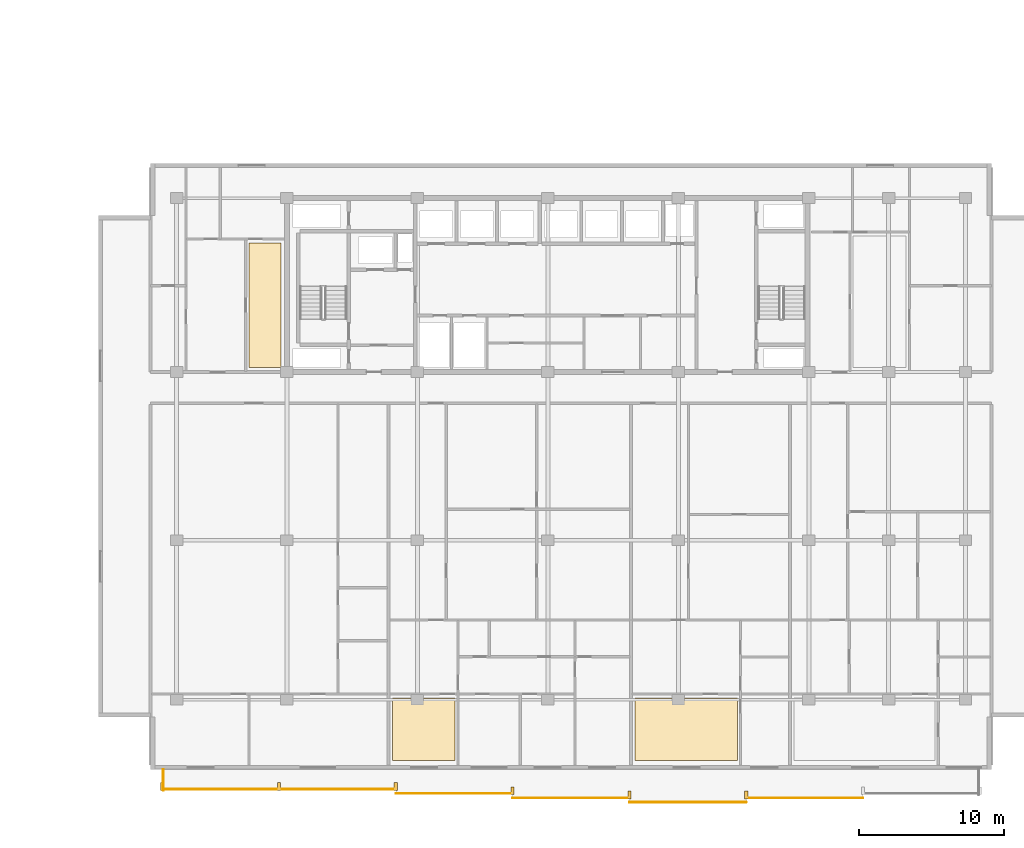
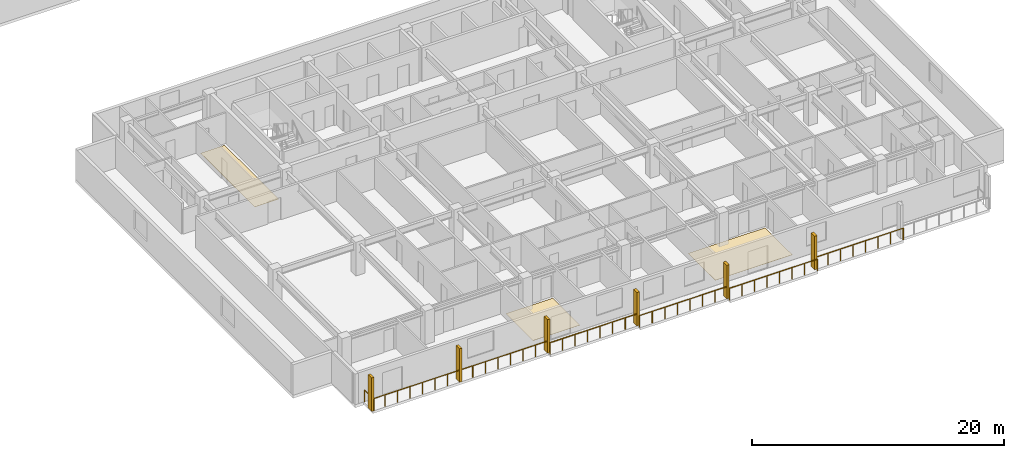
# One storey, part 18 of 22: 6 railings, 6 shading devices, 3 coverings.
"""IFC4 building model written with IfcOpenShell, lengths in metres."""

from ifc_helpers import new_model, si_unit, direction, frame, origin, origin_2d, place, context, subcontext, project, spatial, polyline, rectangle, circle, outline, extrude, material, layer, layer_set, type_object, element, save


model = new_model("IFC4")

# Units and contexts
model_context = context("Model", 3, precision=1e-05, world=origin(), true_north=direction((0.0, 1.0)))
body_context = subcontext(model_context, "Body", "Model", "MODEL_VIEW")
ifc_project = project(units=[si_unit("LENGTHUNIT", "METRE"), si_unit("AREAUNIT", "SQUARE_METRE"), si_unit("VOLUMEUNIT", "CUBIC_METRE"), si_unit("PLANEANGLEUNIT", "RADIAN"), si_unit("MASSUNIT", "GRAM", prefix="KILO")], contexts=[model_context])

# Site, building, storey
site_placement = place(None, origin())
site = spatial("IfcSite", under=ifc_project, at=site_placement, CompositionType="ELEMENT")
building_placement = place(site_placement, origin())
building = spatial("IfcBuilding", under=site, at=building_placement, Name="Korimba Cascade Residences", CompositionType="ELEMENT")
storey_placement = place(building_placement, frame((0.0, 0.0, 90.550048828125)))
storey = spatial("IfcBuildingStorey", under=building, at=storey_placement, Name="L25", CompositionType="ELEMENT", Elevation=90.550048828125)

# Coverings
ifc_material_1 = material(Name="Engineered Spotted-Gum Timber Flooring", Category="wood")
ifc_layer = layer(ifc_material_1, 0.02001953125)
ifc_layer_set = layer_set([ifc_layer], Name="Engineered Spotted-Gum Timber Flooring")
covering_type = type_object("IfcCoveringType", Name="COV-FLR-TIM", PredefinedType="FLOORING", material=ifc_layer_set)
covering_1_placement = place(storey_placement, origin())
element("IfcCovering", 1, at=covering_1_placement, inside=storey, type_object=covering_type, Name="L25 Spotted-Gum Timber Flooring L25-T2-FW-L", PredefinedType="FLOORING", context=body_context, shape_type="SweptSolid", body=[
    extrude(outline(polyline([(79.5, 18.699951171875), (81.699951171875, 18.699951171875), (81.699951171875, 27.300048828125), (79.5, 27.300048828125), (79.5, 18.699951171875)])), origin(), (0.0, 0.0, 1.0), 0.02001953125),
])
covering_2_placement = place(storey_placement, origin())
element("IfcCovering", 2, at=covering_2_placement, inside=storey, type_object=covering_type, Name="L25 Spotted-Gum Timber Flooring L25-T2-U02-L", PredefinedType="FLOORING", context=body_context, shape_type="SweptSolid", body=[
    extrude(outline(polyline([(89.388671875, -8.3798828125), (93.6787109375, -8.3798828125), (93.6787109375, -4.070068359375), (89.388671875, -4.070068359375), (89.388671875, -8.3798828125)])), origin(), (0.0, 0.0, 1.0), 0.02001953125),
])
covering_3_placement = place(storey_placement, origin())
element("IfcCovering", 3, at=covering_3_placement, inside=storey, type_object=covering_type, Name="L25 Spotted-Gum Timber Flooring L25-T2-U03-L", PredefinedType="FLOORING", context=body_context, shape_type="SweptSolid", body=[
    extrude(outline(polyline([(106.101318359375, -8.3798828125), (113.162353515625, -8.3798828125), (113.162353515625, -4.070068359375), (106.101318359375, -4.070068359375), (106.101318359375, -8.3798828125)])), origin(), (0.0, 0.0, 1.0), 0.02001953125),
])

# Railings
ifc_material_2 = material(Name="Laminated Glass and Bronze Balustrade", Category="glass")
railing_type = type_object("IfcRailingType", Name="RLG-LOG-1150", PredefinedType="BALUSTRADE", material=ifc_material_2)
railing_1_placement = place(storey_placement, frame((73.5, -10.3701171875, 0.0)))
element("IfcRailing", 4, at=railing_1_placement, inside=storey, type_object=railing_type, Name="L25 Perimeter Guardrail RLG-L25-T2-LOG-01", PredefinedType="BALUSTRADE", context=body_context, shape_type="SweptSolid", body=[
    extrude(circle(Radius=0.02392578125, at=origin_2d()), frame((0.0, 0.0, 1.1259765625), z_axis=(1.0, 0.0, 0.0), x_axis=(0.0, 1.0, 0.0)), (0.0, 0.0, 1.0), 16.1142578125),
    extrude(circle(Radius=0.02099609375, at=origin_2d()), origin(), (0.0, 0.0, 1.0), 1.101806640625),
    extrude(circle(Radius=0.02099609375, at=origin_2d()), frame((1.151123046875, 0.0, 0.0)), (0.0, 0.0, 1.0), 1.101806640625),
    extrude(circle(Radius=0.02099609375, at=origin_2d()), frame((2.302001953125, 0.0, 0.0)), (0.0, 0.0, 1.0), 1.101806640625),
    extrude(circle(Radius=0.02099609375, at=origin_2d()), frame((3.453125, 0.0, 0.0)), (0.0, 0.0, 1.0), 1.101806640625),
    extrude(circle(Radius=0.02099609375, at=origin_2d()), frame((4.60400390625, 0.0, 0.0)), (0.0, 0.0, 1.0), 1.101806640625),
    extrude(circle(Radius=0.02099609375, at=origin_2d()), frame((5.755126953125, 0.0, 0.0)), (0.0, 0.0, 1.0), 1.101806640625),
    extrude(circle(Radius=0.02099609375, at=origin_2d()), frame((6.906005859375, 0.0, 0.0)), (0.0, 0.0, 1.0), 1.101806640625),
    extrude(circle(Radius=0.02099609375, at=origin_2d()), frame((8.05712890625, 0.0, 0.0)), (0.0, 0.0, 1.0), 1.101806640625),
    extrude(circle(Radius=0.02099609375, at=origin_2d()), frame((9.208251953125, 0.0, 0.0)), (0.0, 0.0, 1.0), 1.101806640625),
    extrude(circle(Radius=0.02099609375, at=origin_2d()), frame((10.359130859375, 0.0, 0.0)), (0.0, 0.0, 1.0), 1.101806640625),
    extrude(circle(Radius=0.02099609375, at=origin_2d()), frame((11.51025390625, 0.0, 0.0)), (0.0, 0.0, 1.0), 1.101806640625),
    extrude(circle(Radius=0.02099609375, at=origin_2d()), frame((12.6611328125, 0.0, 0.0)), (0.0, 0.0, 1.0), 1.101806640625),
    extrude(circle(Radius=0.02099609375, at=origin_2d()), frame((13.812255859375, 0.0, 0.0)), (0.0, 0.0, 1.0), 1.101806640625),
    extrude(circle(Radius=0.02099609375, at=origin_2d()), frame((14.963134765625, 0.0, 0.0)), (0.0, 0.0, 1.0), 1.101806640625),
    extrude(circle(Radius=0.02099609375, at=origin_2d()), frame((16.1142578125, 0.0, 0.0)), (0.0, 0.0, 1.0), 1.101806640625),
])
for number, where, name in (
    (5, (89.6142578125, -10.669921875, 0.0), "L25 Perimeter Guardrail RLG-L25-T2-LOG-02"),
    (6, (97.67138671875, -10.969970703125, 0.0), "L25 Perimeter Guardrail RLG-L25-T2-LOG-03"),
    (7, (105.728515625, -11.27001953125, 0.0), "L25 Perimeter Guardrail RLG-L25-T2-LOG-04"),
):
    element("IfcRailing", number, at=place(storey_placement, frame(where)), inside=storey, type_object=railing_type, Name=name, PredefinedType="BALUSTRADE", context=body_context, shape_type="SweptSolid", body=[
        extrude(circle(Radius=0.02392578125, at=origin_2d()), frame((0.0, 0.0, 1.1259765625), z_axis=(1.0, 0.0, 0.0), x_axis=(0.0, 1.0, 0.0)), (0.0, 0.0, 1.0), 8.05712890625),
        extrude(circle(Radius=0.02099609375, at=origin_2d()), origin(), (0.0, 0.0, 1.0), 1.101806640625),
        extrude(circle(Radius=0.02099609375, at=origin_2d()), frame((1.151123046875, 0.0, 0.0)), (0.0, 0.0, 1.0), 1.101806640625),
        extrude(circle(Radius=0.02099609375, at=origin_2d()), frame((2.302001953125, 0.0, 0.0)), (0.0, 0.0, 1.0), 1.101806640625),
        extrude(circle(Radius=0.02099609375, at=origin_2d()), frame((3.453125, 0.0, 0.0)), (0.0, 0.0, 1.0), 1.101806640625),
        extrude(circle(Radius=0.02099609375, at=origin_2d()), frame((4.60400390625, 0.0, 0.0)), (0.0, 0.0, 1.0), 1.101806640625),
        extrude(circle(Radius=0.02099609375, at=origin_2d()), frame((5.755126953125, 0.0, 0.0)), (0.0, 0.0, 1.0), 1.101806640625),
        extrude(circle(Radius=0.02099609375, at=origin_2d()), frame((6.906005859375, 0.0, 0.0)), (0.0, 0.0, 1.0), 1.101806640625),
        extrude(circle(Radius=0.02099609375, at=origin_2d()), frame((8.05712890625, 0.0, 0.0)), (0.0, 0.0, 1.0), 1.101806640625),
    ])
railing_2_placement = place(storey_placement, frame((113.78564453125, -10.969970703125, 0.0)))
element("IfcRailing", 8, at=railing_2_placement, inside=storey, type_object=railing_type, Name="L25 Perimeter Guardrail RLG-L25-T2-LOG-05", PredefinedType="BALUSTRADE", context=body_context, shape_type="SweptSolid", body=[
    extrude(circle(Radius=0.02392578125, at=origin_2d()), frame((0.0, 0.0, 1.1259765625), z_axis=(1.0, 0.0, 0.0), x_axis=(0.0, 1.0, 0.0)), (0.0, 0.0, 1.0), 8.057373046875),
    extrude(circle(Radius=0.02099609375, at=origin_2d()), origin(), (0.0, 0.0, 1.0), 1.101806640625),
    extrude(circle(Radius=0.02099609375, at=origin_2d()), frame((1.151123046875, 0.0, 0.0)), (0.0, 0.0, 1.0), 1.101806640625),
    extrude(circle(Radius=0.02099609375, at=origin_2d()), frame((2.302001953125, 0.0, 0.0)), (0.0, 0.0, 1.0), 1.101806640625),
    extrude(circle(Radius=0.02099609375, at=origin_2d()), frame((3.453125, 0.0, 0.0)), (0.0, 0.0, 1.0), 1.101806640625),
    extrude(circle(Radius=0.02099609375, at=origin_2d()), frame((4.604248046875, 0.0, 0.0)), (0.0, 0.0, 1.0), 1.101806640625),
    extrude(circle(Radius=0.02099609375, at=origin_2d()), frame((5.75537109375, 0.0, 0.0)), (0.0, 0.0, 1.0), 1.101806640625),
    extrude(circle(Radius=0.02099609375, at=origin_2d()), frame((6.90625, 0.0, 0.0)), (0.0, 0.0, 1.0), 1.101806640625),
    extrude(circle(Radius=0.02099609375, at=origin_2d()), frame((8.057373046875, 0.0, 0.0)), (0.0, 0.0, 1.0), 1.101806640625),
])
railing_3_placement = place(storey_placement, frame((73.580078125, -9.0, 0.0)))
element("IfcRailing", 9, at=railing_3_placement, inside=storey, type_object=railing_type, Name="L25 Perimeter Guardrail RLG-L25-T2-LOG-08", PredefinedType="BALUSTRADE", context=body_context, shape_type="SweptSolid", body=[
    extrude(circle(Radius=0.02392578125, at=origin_2d()), frame((0.0, 0.0, 1.1259765625), z_axis=(0.0, -1.0, 0.0), x_axis=(1.0, 0.0, 0.0)), (0.0, 0.0, 1.0), 1.449951171875),
    extrude(circle(Radius=0.02099609375, at=origin_2d()), origin(), (0.0, 0.0, 1.0), 1.101806640625),
    extrude(circle(Radius=0.02099609375, at=origin_2d()), frame((0.0, -0.72509765625, 0.0)), (0.0, 0.0, 1.0), 1.101806640625),
    extrude(circle(Radius=0.02099609375, at=origin_2d()), frame((0.0, -1.449951171875, 0.0)), (0.0, 0.0, 1.0), 1.101806640625),
])

# Shading devices
ifc_material_3 = material(Name="Honed Sandstone Precast Fin", Category="masonry")
shading_device_type = type_object("IfcShadingDeviceType", Name="SHD-FIN-550", PredefinedType="USERDEFINED", material=ifc_material_3)
for number, where, z_axis, x_axis, name in (
    (10, (73.5, -10.175048828125, 0.0), (0.0, 0.0, 1.0), (1.0, 0.0, 0.0), "L25 T2 Warm-Stone Loggia Fin 1"),
    (11, (81.55712890625, -10.175048828125, 0.0), (0.0, 0.0, 1.0), (1.0, 0.0, 0.0), "L25 T2 Warm-Stone Loggia Fin 2"),
    (12, (89.6142578125, -10.175048828125, 0.0), (0.0, 0.0, 1.0), (1.0, 0.0, 0.0), "L25 T2 Warm-Stone Loggia Fin 3"),
    (13, (97.67138671875, -10.47509765625, 0.0), (0.0, 0.0, 1.0), (1.0, 0.0, 0.0), "L25 T2 Warm-Stone Loggia Fin 4"),
    (14, (105.728515625, -10.77490234375, 0.0), (0.0, 0.0, 1.0), (1.0, 0.0, 0.0), "L25 T2 Warm-Stone Loggia Fin 5"),
    (15, (113.78564453125, -10.77490234375, 0.0), (0.0, 0.0, 1.0), (1.0, 0.0, 0.0), "L25 T2 Warm-Stone Loggia Fin 6"),
):
    element("IfcShadingDevice", number, at=place(storey_placement, frame(where, z_axis=z_axis, x_axis=x_axis)), inside=storey, type_object=shading_device_type, Name=name, ObjectType="FIN", PredefinedType="USERDEFINED", context=body_context, shape_type="SweptSolid", body=[
        extrude(rectangle(XDim=0.219970703125, YDim=0.550048828125, at=origin_2d()), origin(), (0.0, 0.0, 1.0), 3.25),
    ])

save(model, "model.ifc")
